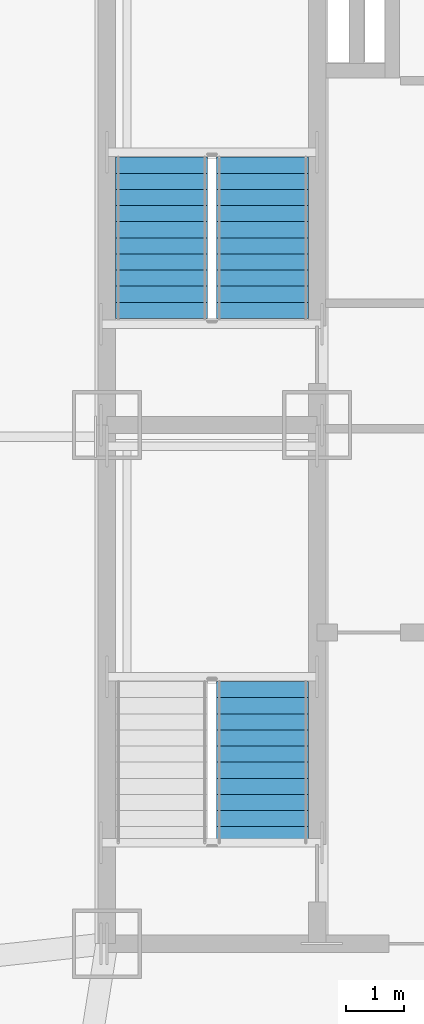
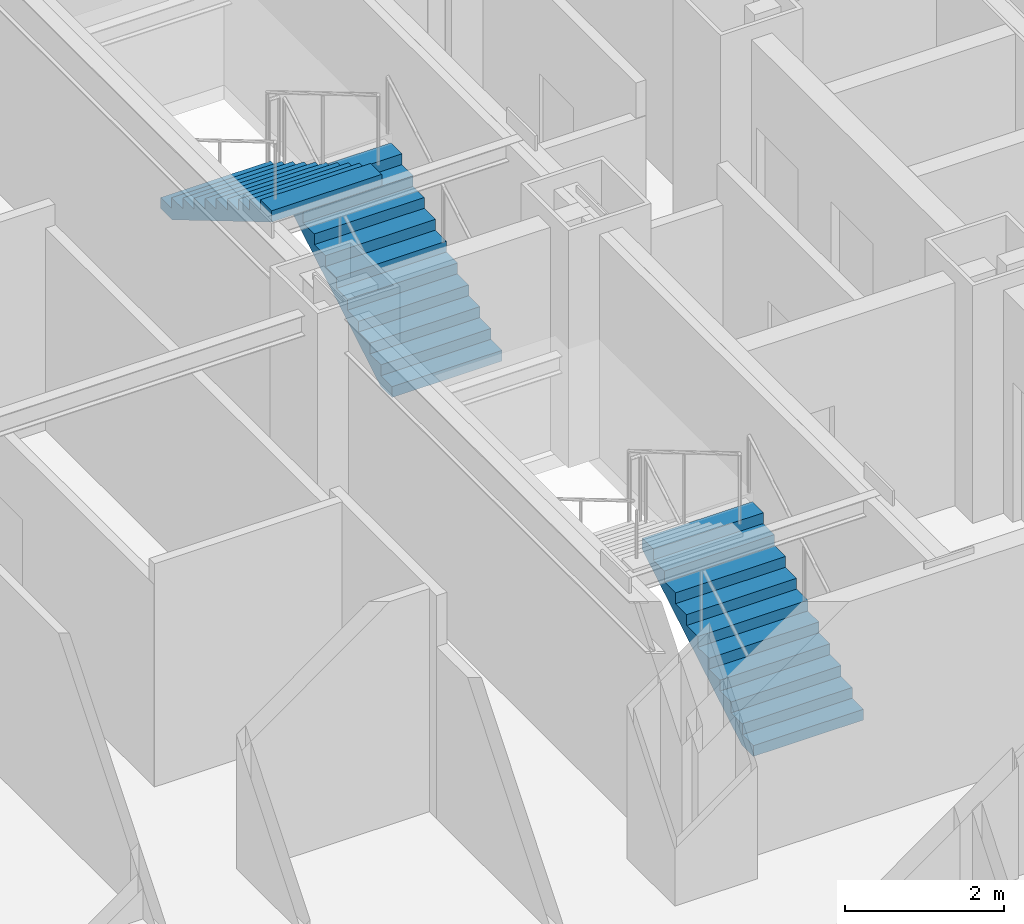
# One storey, part 17 of 18: 3 stair flights, 2 elements without a shape of their own.
"""IFC4 building model written with IfcOpenShell, lengths in metres."""

from ifc_helpers import new_model, si_unit, direction, frame, origin, place, context, subcontext, project, spatial, polyline, outline, extrude, material, type_object, element, aggregate, save


model = new_model("IFC4")

# Units and contexts
model_context = context("Model", 3, precision=1e-05, world=origin(), true_north=direction((0.0, 1.0)))
body_context = subcontext(model_context, "Body", "Model", "MODEL_VIEW")
ifc_project = project(units=[si_unit("LENGTHUNIT", "METRE"), si_unit("AREAUNIT", "SQUARE_METRE"), si_unit("VOLUMEUNIT", "CUBIC_METRE"), si_unit("PLANEANGLEUNIT", "RADIAN"), si_unit("MASSUNIT", "GRAM", prefix="KILO")], contexts=[model_context])

# Site, building, storey
site_placement = place(None, origin())
site = spatial("IfcSite", under=ifc_project, at=site_placement, CompositionType="ELEMENT")
building_placement = place(site_placement, origin())
building = spatial("IfcBuilding", under=site, at=building_placement, Name="Khamvora Tower", CompositionType="ELEMENT")
storey_placement = place(building_placement, frame((0.0, 0.0, 109.199951171875)))
storey = spatial("IfcBuildingStorey", under=building, at=storey_placement, Name="L27", CompositionType="ELEMENT", Elevation=109.199951171875)

# Stair, stair flight
ifc_material = material(Name="Concrete C40/50", Category="concrete")
stair_type_1 = type_object("IfcStairType", Name="STR-ST-01", PredefinedType="HALF_TURN_STAIR", material=ifc_material)
stair_1_placement = place(storey_placement, origin())
stair_1 = element("IfcStair", 1, at=stair_1_placement, inside=storey, type_object=stair_type_1, Name="L27 South Tower Exit Stair ST-01", PredefinedType="HALF_TURN_STAIR")
stair_flight_type_1 = type_object("IfcStairFlightType", Name="STF-ST-01", PredefinedType="STRAIGHT", material=ifc_material)
stair_flight_1_placement = place(storey_placement, frame((31.699951171875, 20.75, 0.0), z_axis=(0.0, 0.0, 1.0), x_axis=(0.0, 1.0, 0.0)))
stair_flight_1 = element("IfcStairFlight", 2, at=stair_flight_1_placement, type_object=stair_flight_type_1, Name="ST-01 flight 1", NumberOfRisers=11, NumberOfTreads=10, PredefinedType="STRAIGHT", RiserHeight=0.165909091, TreadLength=0.28, context=body_context, shape_type="SweptSolid", body=[
    extrude(outline(polyline([(0.0, 0.0), (0.0, 0.166015625), (0.280029296875, 0.166015625), (0.280029296875, 0.331787109375), (0.56005859375, 0.331787109375), (0.56005859375, 0.497802734375), (0.840087890625, 0.497802734375), (0.840087890625, 0.66357421875), (1.1201171875, 0.66357421875), (1.1201171875, 0.82958984375), (1.39990234375, 0.82958984375), (1.39990234375, 0.995361328125), (1.679931640625, 0.995361328125), (1.679931640625, 1.161376953125), (1.9599609375, 1.161376953125), (1.9599609375, 1.327392578125), (2.239990234375, 1.327392578125), (2.239990234375, 1.4931640625), (2.52001953125, 1.4931640625), (2.52001953125, 1.6591796875), (2.800048828125, 1.6591796875), (2.800048828125, 1.824951171875), (2.800048828125, 1.48486328125), (0.2939453125, 0.0), (0.0, 0.0)])), frame((0.0, 0.800048828125, 0.0), z_axis=(0.0, -1.0, 0.0), x_axis=(1.0, 0.0, 0.0)), (0.0, 0.0, 1.0), 1.60009765625),
])
aggregate(stair_1, [stair_flight_1])

# Stair, stair flights
stair_type_2 = type_object("IfcStairType", Name="STR-ST-02", PredefinedType="HALF_TURN_STAIR", material=ifc_material)
stair_2_placement = place(storey_placement, origin())
stair_2 = element("IfcStair", 3, at=stair_2_placement, inside=storey, type_object=stair_type_2, Name="L27 North Tower Exit Stair ST-02", PredefinedType="HALF_TURN_STAIR")
stair_flight_type_2 = type_object("IfcStairFlightType", Name="STF-ST-02", PredefinedType="STRAIGHT", material=ifc_material)
stair_flight_2_placement = place(storey_placement, frame((31.699951171875, 29.85009765625, 0.0), z_axis=(0.0, 0.0, 1.0), x_axis=(0.0, 1.0, 0.0)))
stair_flight_2 = element("IfcStairFlight", 4, at=stair_flight_2_placement, type_object=stair_flight_type_2, Name="ST-02 flight 1", NumberOfRisers=11, NumberOfTreads=10, PredefinedType="STRAIGHT", RiserHeight=0.165909091, TreadLength=0.28, context=body_context, shape_type="SweptSolid", body=[
    extrude(outline(polyline([(0.0, 0.0), (0.0, 0.166015625), (0.280029296875, 0.166015625), (0.280029296875, 0.331787109375), (0.56005859375, 0.331787109375), (0.56005859375, 0.497802734375), (0.840087890625, 0.497802734375), (0.840087890625, 0.66357421875), (1.1201171875, 0.66357421875), (1.1201171875, 0.82958984375), (1.39990234375, 0.82958984375), (1.39990234375, 0.995361328125), (1.679931640625, 0.995361328125), (1.679931640625, 1.161376953125), (1.9599609375, 1.161376953125), (1.9599609375, 1.327392578125), (2.239990234375, 1.327392578125), (2.239990234375, 1.4931640625), (2.52001953125, 1.4931640625), (2.52001953125, 1.6591796875), (2.800048828125, 1.6591796875), (2.800048828125, 1.824951171875), (2.800048828125, 1.48486328125), (0.2939453125, 0.0), (0.0, 0.0)])), frame((0.0, 0.800048828125, 0.0), z_axis=(0.0, -1.0, 0.0), x_axis=(1.0, 0.0, 0.0)), (0.0, 0.0, 1.0), 1.60009765625),
])
stair_flight_3_placement = place(storey_placement, frame((29.949951171875, 32.64990234375, 1.824951171875), z_axis=(0.0, 0.0, 1.0), x_axis=(0.0, -1.0, 0.0)))
stair_flight_3 = element("IfcStairFlight", 5, at=stair_flight_3_placement, type_object=stair_flight_type_2, Name="ST-02 flight 2", NumberOfRisers=11, NumberOfTreads=10, PredefinedType="STRAIGHT", RiserHeight=0.165909091, TreadLength=0.28, context=body_context, shape_type="SweptSolid", body=[
    extrude(outline(polyline([(0.0, 0.0), (0.0, 0.166015625), (0.280029296875, 0.166015625), (0.280029296875, 0.331787109375), (0.56005859375, 0.331787109375), (0.56005859375, 0.497802734375), (0.840087890625, 0.497802734375), (0.840087890625, 0.66357421875), (1.1201171875, 0.66357421875), (1.1201171875, 0.82958984375), (1.39990234375, 0.82958984375), (1.39990234375, 0.995361328125), (1.679931640625, 0.995361328125), (1.679931640625, 1.161376953125), (1.9599609375, 1.161376953125), (1.9599609375, 1.327392578125), (2.239990234375, 1.327392578125), (2.239990234375, 1.4931640625), (2.52001953125, 1.4931640625), (2.52001953125, 1.6591796875), (2.800048828125, 1.6591796875), (2.800048828125, 1.824951171875), (2.800048828125, 1.48486328125), (0.2939453125, 0.0), (0.0, 0.0)])), frame((0.0, 0.800048828125, 0.0), z_axis=(0.0, -1.0, 0.0), x_axis=(1.0, 0.0, 0.0)), (0.0, 0.0, 1.0), 1.60009765625),
])
aggregate(stair_2, [stair_flight_2, stair_flight_3])

save(model, "model.ifc")
